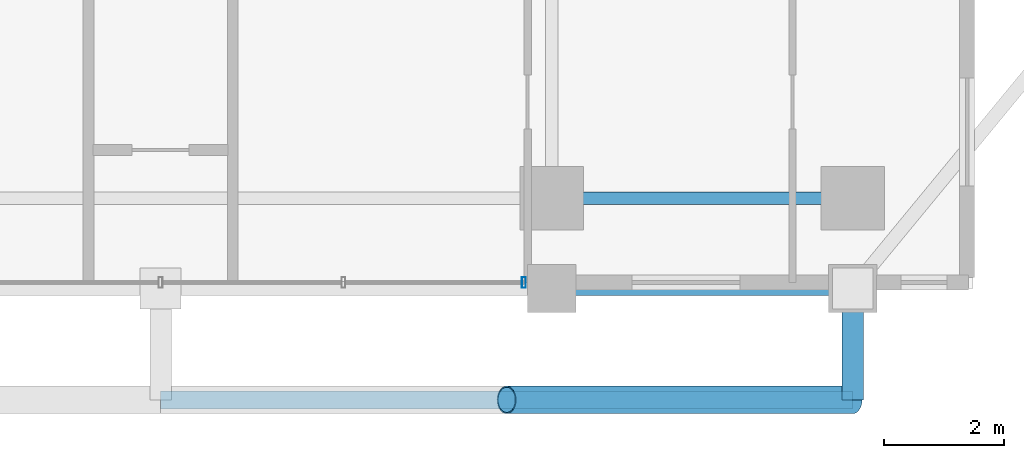
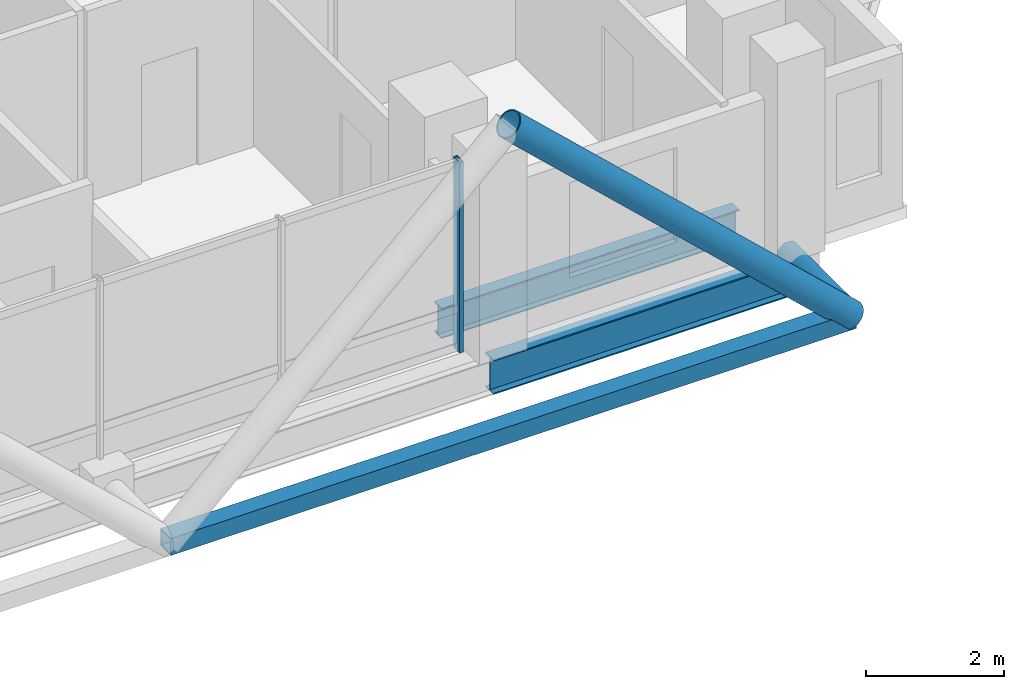
# One storey, part 5 of 26: 4 members, 2 beams, 1 element without a shape of its own.
"""IFC4 building model written with IfcOpenShell, lengths in metres."""

from ifc_helpers import new_model, si_unit, direction, frame, origin, origin_2d, place, context, subcontext, project, spatial, hollow_rectangle, hollow_circle, i_section, extrude, material, layer, layer_set, material_profile, profile_set, type_object, element, aggregate, save


model = new_model("IFC4")

# Units and contexts
model_context = context("Model", 3, precision=1e-05, world=origin(), true_north=direction((0.0, 1.0)))
body_context = subcontext(model_context, "Body", "Model", "MODEL_VIEW")
ifc_project = project(units=[si_unit("LENGTHUNIT", "METRE"), si_unit("AREAUNIT", "SQUARE_METRE"), si_unit("VOLUMEUNIT", "CUBIC_METRE"), si_unit("PLANEANGLEUNIT", "RADIAN"), si_unit("MASSUNIT", "GRAM", prefix="KILO")], contexts=[model_context])

# Site, building, storey
site_placement = place(None, origin())
site = spatial("IfcSite", under=ifc_project, at=site_placement, CompositionType="ELEMENT")
building_placement = place(site_placement, origin())
building = spatial("IfcBuilding", under=site, at=building_placement, Name="Barlavira Tower and Art Museum", CompositionType="ELEMENT")
storey_placement = place(building_placement, frame((0.0, 0.0, 198.0)))
storey = spatial("IfcBuildingStorey", under=building, at=storey_placement, Name="L51", CompositionType="ELEMENT", Elevation=198.0)

# Curtain wall, member
ifc_material_1 = material(Name="Low-iron coastal laminated glass", Category="glass")
ifc_layer = layer(ifc_material_1, 0.199951171875, Name="Low-iron coastal laminated glass")
ifc_layer_set = layer_set([ifc_layer], Name="Low-iron coastal laminated glass")
curtain_wall_type = type_object("IfcCurtainWallType", Name="Pale-Metal Unitised Curtain Wall Zone 3", PredefinedType="NOTDEFINED", material=ifc_layer_set)
curtain_wall_placement = place(storey_placement, origin())
curtain_wall = element("IfcCurtainWall", 1, at=curtain_wall_placement, inside=storey, type_object=curtain_wall_type, Name="L51 Curtain Wall CW3-L51-S-B3", PredefinedType="NOTDEFINED")
ifc_material_2 = material(Name="Pale anodised aluminium", Category="aluminium")
ifc_material_profile_1 = material_profile(ifc_material_2, hollow_rectangle(XDim=0.06494140625, YDim=0.179931640625, WallThickness=0.00390625, at=origin_2d()), Name="ALU-MULL 65x180x4")
ifc_profile_set_1 = profile_set([ifc_material_profile_1], Name="Pale anodised aluminium")
member_type_1 = type_object("IfcMemberType", Name="Curtain Wall Pale-Metal Mullion 65x180", PredefinedType="MULLION", material=ifc_profile_set_1)
member_1_placement = place(storey_placement, frame((6.034912109375, -21.39990234375, 0.0), z_axis=(0.0, 0.0, 1.0), x_axis=(1.0, 0.0, 0.0)))
member_1 = element("IfcMember", 2, at=member_1_placement, type_object=member_type_1, Name="CW3-L51-S-B3 Mullion 4", PredefinedType="MULLION", context=body_context, shape_type="SweptSolid", body=[
    extrude(hollow_rectangle(XDim=0.06494140625, YDim=0.179931640625, WallThickness=0.00390625, at=origin_2d()), origin(), (0.0, 0.0, 1.0), 3.3798828125),
])
aggregate(curtain_wall, [member_1])

# Members
ifc_material_3 = material(Name="Steel S355", Category="steel")
ifc_material_profile_2 = material_profile(ifc_material_3, hollow_circle(Radius=0.228515625, WallThickness=0.02001953125, at=origin_2d()), Name="CHS 457.0x20.0")
ifc_profile_set_2 = profile_set([ifc_material_profile_2], Name="Steel S355")
member_type_2 = type_object("IfcMemberType", Name="Pale-Metal Exoskeleton Diagrid Tube CHS 457x20 Steel S355", PredefinedType="BRACE", material=ifc_profile_set_2)
member_2_placement = place(storey_placement, frame((11.5, -23.35009765625, -0.1201171875), z_axis=(-0.728934650808, 0.0, 0.684583285548), x_axis=(0.0, -1.0, 0.0)))
element("IfcMember", 3, at=member_2_placement, inside=storey, type_object=member_type_2, Name="L51 Exoskeleton Diagrid Tube S", PredefinedType="BRACE", context=body_context, shape_type="SweptSolid", body=[
    extrude(hollow_circle(Radius=0.228515625, WallThickness=0.02001953125, at=origin_2d()), origin(), (0.0, 0.0, 1.0), 7.88818359375),
])
ifc_material_profile_3 = material_profile(ifc_material_3, hollow_circle(Radius=0.177734375, WallThickness=0.01611328125, at=origin_2d()), Name="CHS 355.6x16.0")
ifc_profile_set_3 = profile_set([ifc_material_profile_3], Name="Steel S355")
member_type_3 = type_object("IfcMemberType", Name="Pale-Metal Exoskeleton Tie Strut CHS 356x16 Steel S355", PredefinedType="STRUT", material=ifc_profile_set_3)
member_3_placement = place(storey_placement, frame((11.5, -23.35009765625, -0.1201171875), z_axis=(0.0, 1.0, 0.0), x_axis=(-1.0, 0.0, 0.0)))
element("IfcMember", 4, at=member_3_placement, inside=storey, type_object=member_type_3, Name="L51 Exoskeleton Tie Strut S3", PredefinedType="STRUT", context=body_context, shape_type="SweptSolid", body=[
    extrude(hollow_circle(Radius=0.177734375, WallThickness=0.01611328125, at=origin_2d()), origin(), (0.0, 0.0, 1.0), 1.85009765625),
])
ifc_material_profile_4 = material_profile(ifc_material_3, hollow_rectangle(XDim=0.300048828125, YDim=0.300048828125, WallThickness=0.01611328125, at=origin_2d()), Name="SHS 300x300x16.0")
ifc_profile_set_4 = profile_set([ifc_material_profile_4], Name="Steel S355")
member_type_4 = type_object("IfcMemberType", Name="Pale-Metal Upper Ring Strut SHS 300x300x16 Steel S355", PredefinedType="STRUT", material=ifc_profile_set_4)
member_4_placement = place(storey_placement, frame((0.0, -23.35009765625, -0.1201171875), z_axis=(1.0, 0.0, 0.0), x_axis=(0.0, 1.0, 0.0)))
element("IfcMember", 5, at=member_4_placement, inside=storey, type_object=member_type_4, Name="L51 Exoskeleton Ring Strut S", PredefinedType="STRUT", context=body_context, shape_type="SweptSolid", body=[
    extrude(hollow_rectangle(XDim=0.300048828125, YDim=0.300048828125, WallThickness=0.01611328125, at=origin_2d()), origin(), (0.0, 0.0, 1.0), 11.5),
])

# Beams
ifc_material_profile_5 = material_profile(ifc_material_3, i_section(OverallWidth=0.22998046875, OverallDepth=0.616943359375, WebThickness=0.01318359375, FlangeThickness=0.022216796875, at=origin_2d()), Name="W610x140.0")
ifc_profile_set_5 = profile_set([ifc_material_profile_5], Name="Steel S355")
beam_type_1 = type_object("IfcBeamType", Name="Upper Shaft Spandrel Edge Beam W610x140 Steel S355", PredefinedType="SPANDREL", material=ifc_profile_set_5)
beam_1_placement = place(storey_placement, frame((6.5, -21.5, -0.528564453125), z_axis=(1.0, 0.0, 0.0), x_axis=(0.0, 1.0, 0.0)))
element("IfcBeam", 6, at=beam_1_placement, inside=storey, type_object=beam_type_1, Name="L51 Spandrel 3", PredefinedType="SPANDREL", context=body_context, shape_type="SweptSolid", body=[
    extrude(i_section(OverallWidth=0.22998046875, OverallDepth=0.616943359375, WebThickness=0.01318359375, FlangeThickness=0.022216796875, at=origin_2d()), origin(), (0.0, 0.0, 1.0), 5.0),
])
ifc_material_profile_6 = material_profile(ifc_material_3, i_section(OverallWidth=0.2109375, OverallDepth=0.5390625, WebThickness=0.01171875, FlangeThickness=0.018798828125, at=origin_2d()), Name="W530x109.0")
ifc_profile_set_6 = profile_set([ifc_material_profile_6], Name="Steel S355")
beam_type_2 = type_object("IfcBeamType", Name="Zone 3-4 Primary Floor Girder W530x109 Steel S355", PredefinedType="BEAM", material=ifc_profile_set_6)
beam_2_placement = place(storey_placement, frame((6.5, -20.0, -0.489501953125), z_axis=(1.0, 0.0, 0.0), x_axis=(0.0, 1.0, 0.0)))
element("IfcBeam", 7, at=beam_2_placement, inside=storey, type_object=beam_type_2, Name="L51 Girder M-S3", PredefinedType="BEAM", context=body_context, shape_type="SweptSolid", body=[
    extrude(i_section(OverallWidth=0.2109375, OverallDepth=0.5390625, WebThickness=0.01171875, FlangeThickness=0.018798828125, at=origin_2d()), origin(), (0.0, 0.0, 1.0), 5.0),
])

save(model, "model.ifc")
